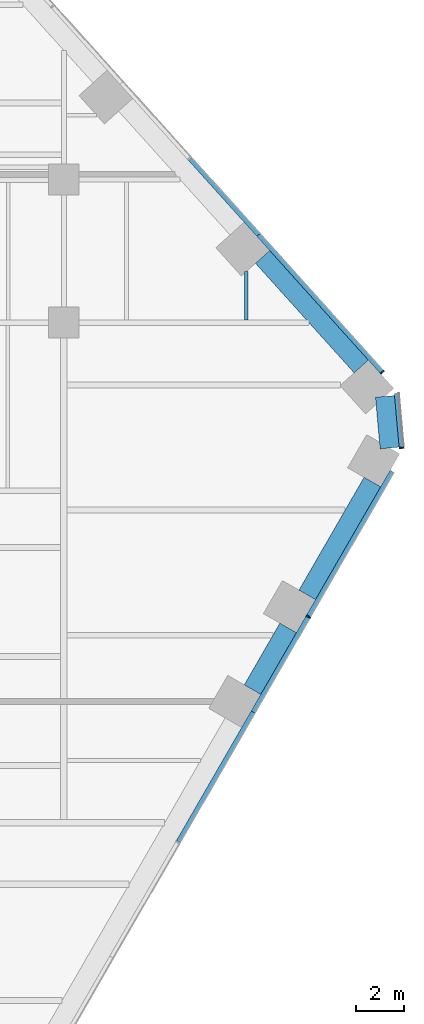
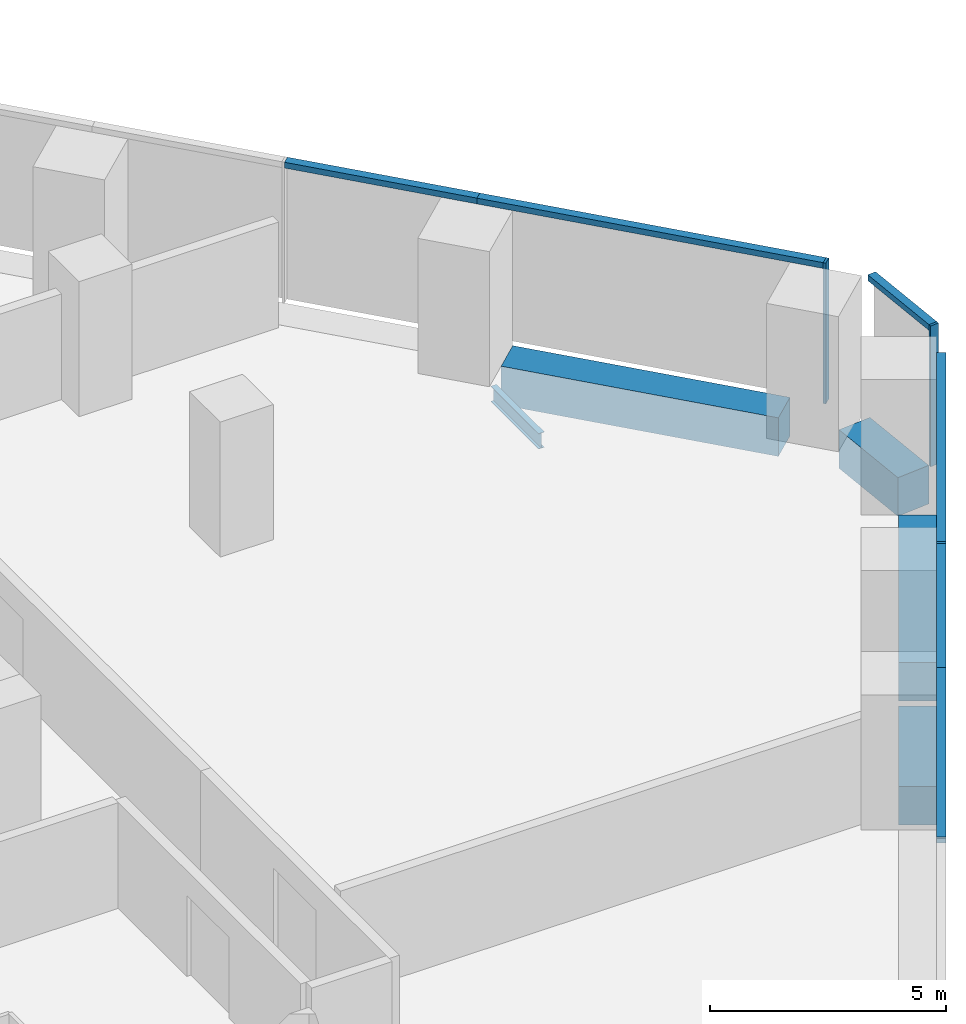
# One storey, part 11 of 19: 9 members, 5 beams, 3 elements without a shape of their own.
"""IFC4 building model written with IfcOpenShell, lengths in metres."""

from ifc_helpers import new_model, si_unit, direction, frame, origin, origin_2d, place, context, subcontext, project, spatial, rectangle, i_section, extrude, material, layer, layer_set, material_profile, profile_set, type_object, element, aggregate, save


model = new_model("IFC4")

# Units and contexts
model_context = context("Model", 3, precision=1e-05, world=origin(), true_north=direction((0.0, 1.0)))
body_context = subcontext(model_context, "Body", "Model", "MODEL_VIEW")
ifc_project = project(units=[si_unit("LENGTHUNIT", "METRE"), si_unit("AREAUNIT", "SQUARE_METRE"), si_unit("VOLUMEUNIT", "CUBIC_METRE"), si_unit("PLANEANGLEUNIT", "RADIAN"), si_unit("MASSUNIT", "GRAM", prefix="KILO")], contexts=[model_context])

# Site, building, storey
site_placement = place(None, origin())
site = spatial("IfcSite", under=ifc_project, at=site_placement, CompositionType="ELEMENT")
building_placement = place(site_placement, origin())
building = spatial("IfcBuilding", under=site, at=building_placement, Name="Isthmus Gate Tower", CompositionType="ELEMENT")
storey_placement = place(building_placement, frame((0.0, 0.0, 95.25)))
storey = spatial("IfcBuildingStorey", under=building, at=storey_placement, Name="L22", CompositionType="ELEMENT", Elevation=95.25)

# Curtain wall, member
ifc_material_1 = material(Name="Aluminium, pale champagne anodised", Category="aluminium")
ifc_layer = layer(ifc_material_1, 0.199951171875)
ifc_layer_set = layer_set([ifc_layer], Name="CW-1 UNITISED CURTAIN WALL 200 DEEP")
curtain_wall_type = type_object("IfcCurtainWallType", Name="CW-1 UNITISED CURTAIN WALL 200 DEEP", PredefinedType="NOTDEFINED", material=ifc_layer_set)
curtain_wall_1_placement = place(storey_placement, origin())
curtain_wall_1 = element("IfcCurtainWall", 1, at=curtain_wall_1_placement, inside=storey, type_object=curtain_wall_type, Name="CW-1 SE L22", PredefinedType="NOTDEFINED")
ifc_material_2 = material(Name="Aluminium, pale champagne anodised", Category="aluminium")
ifc_material_profile_1 = material_profile(ifc_material_2, rectangle(XDim=0.06005859375, YDim=0.199951171875, at=origin_2d()), Name="60x200")
ifc_profile_set_1 = profile_set([ifc_material_profile_1], Name="Aluminium, pale champagne anodised")
member_type_1 = type_object("IfcMemberType", Name="CW-1 MULLION 60 X 200", PredefinedType="MULLION", material=ifc_profile_set_1)
member_1_placement = place(storey_placement, frame((34.267822265625, -4.846435546875, 0.0), z_axis=(0.0, 0.0, 1.0), x_axis=(0.5, 0.866025403784, 0.0)))
member_1 = element("IfcMember", 2, at=member_1_placement, type_object=member_type_1, Name="CW-1 mullion", PredefinedType="MULLION", context=body_context, shape_type="SweptSolid", body=[
    extrude(rectangle(XDim=0.06005859375, YDim=0.199951171875, at=origin_2d()), origin(), (0.0, 0.0, 1.0), 3.64990234375),
])

curtain_wall_2_placement = place(storey_placement, origin())
curtain_wall_2 = element("IfcCurtainWall", 3, at=curtain_wall_2_placement, inside=storey, type_object=curtain_wall_type, Name="CW-1 SE-NE L22", PredefinedType="NOTDEFINED")
member_2_placement = place(storey_placement, frame((38.178955078125, 2.24169921875, 0.0), z_axis=(0.0, 0.0, 1.0), x_axis=(-0.089396669717, 0.995996102123, 0.0)))
member_2 = element("IfcMember", 4, at=member_2_placement, type_object=member_type_1, Name="CW-1 mullion", PredefinedType="MULLION", context=body_context, shape_type="SweptSolid", body=[
    extrude(rectangle(XDim=0.06005859375, YDim=0.199951171875, at=origin_2d()), origin(), (0.0, 0.0, 1.0), 3.64990234375),
])

curtain_wall_3_placement = place(storey_placement, origin())
curtain_wall_3 = element("IfcCurtainWall", 5, at=curtain_wall_3_placement, inside=storey, type_object=curtain_wall_type, Name="CW-1 NE L22", PredefinedType="NOTDEFINED")
member_3_placement = place(storey_placement, frame((37.37353515625, 5.419921875, 0.0), z_axis=(0.0, 0.0, 1.0), x_axis=(-0.669130606359, 0.743144825477, 0.0)))
member_3 = element("IfcMember", 6, at=member_3_placement, type_object=member_type_1, Name="CW-1 mullion", PredefinedType="MULLION", context=body_context, shape_type="SweptSolid", body=[
    extrude(rectangle(XDim=0.06005859375, YDim=0.199951171875, at=origin_2d()), origin(), (0.0, 0.0, 1.0), 3.64990234375),
])

# Member
ifc_material_3 = material(Name="Aluminium, pale champagne anodised", Category="aluminium")
ifc_material_profile_2 = material_profile(ifc_material_3, rectangle(XDim=0.199951171875, YDim=0.14990234375, at=origin_2d()), Name="200x150")
ifc_profile_set_2 = profile_set([ifc_material_profile_2], Name="Aluminium, pale champagne anodised")
member_type_2 = type_object("IfcMemberType", Name="CW-1 TRANSOM 200 X 150", PredefinedType="USERDEFINED", material=ifc_profile_set_2)
member_4_placement = place(storey_placement, frame((28.817138671875, -14.287353515625, 3.574951171875), z_axis=(0.499995104884, 0.866028229963, 0.0), x_axis=(-0.866028229963, 0.499995104884, 0.0)))
member_4 = element("IfcMember", 7, at=member_4_placement, type_object=member_type_2, Name="CW-1 transom", ObjectType="TRANSOM", PredefinedType="USERDEFINED", context=body_context, shape_type="SweptSolid", body=[
    extrude(rectangle(XDim=0.199951171875, YDim=0.14990234375, at=origin_2d()), origin(), (0.0, 0.0, 1.0), 6.2783203125),
])

member_5_placement = place(storey_placement, frame((31.956298828125, -8.85009765625, 3.574951171875), z_axis=(0.499992401796, 0.866029790565, 0.0), x_axis=(-0.866029790565, 0.499992401796, 0.0)))
member_5 = element("IfcMember", 8, at=member_5_placement, type_object=member_type_2, Name="CW-1 transom", ObjectType="TRANSOM", PredefinedType="USERDEFINED", context=body_context, shape_type="SweptSolid", body=[
    extrude(rectangle(XDim=0.199951171875, YDim=0.14990234375, at=origin_2d()), origin(), (0.0, 0.0, 1.0), 4.5927734375),
])

member_6_placement = place(storey_placement, frame((34.28271484375, -4.820556640625, 3.574951171875), z_axis=(0.500004847053, 0.866022605319, 0.0), x_axis=(-0.866022605319, 0.500004847053, 0.0)))
member_6 = element("IfcMember", 9, at=member_6_placement, type_object=member_type_2, Name="CW-1 transom", ObjectType="TRANSOM", PredefinedType="USERDEFINED", context=body_context, shape_type="SweptSolid", body=[
    extrude(rectangle(XDim=0.199951171875, YDim=0.14990234375, at=origin_2d()), origin(), (0.0, 0.0, 1.0), 7.009765625),
])

aggregate(curtain_wall_1, [member_4, member_5, member_1, member_6])

member_7_placement = place(storey_placement, frame((38.17626953125, 2.271728515625, 3.574951171875), z_axis=(-0.089395362867, 0.995996219419, 0.0), x_axis=(-0.995996219419, -0.089395362867, 0.0)))
member_7 = element("IfcMember", 10, at=member_7_placement, type_object=member_type_2, Name="CW-1 transom", ObjectType="TRANSOM", PredefinedType="USERDEFINED", context=body_context, shape_type="SweptSolid", body=[
    extrude(rectangle(XDim=0.199951171875, YDim=0.14990234375, at=origin_2d()), origin(), (0.0, 0.0, 1.0), 2.258544921875),
])

aggregate(curtain_wall_2, [member_2, member_7])

member_8_placement = place(storey_placement, frame((37.353515625, 5.4423828125, 3.574951171875), z_axis=(-0.669133991403, 0.743141777556, 0.0), x_axis=(-0.743141777556, -0.669133991403, 0.0)))
member_8 = element("IfcMember", 11, at=member_8_placement, type_object=member_type_2, Name="CW-1 transom", ObjectType="TRANSOM", PredefinedType="USERDEFINED", context=body_context, shape_type="SweptSolid", body=[
    extrude(rectangle(XDim=0.199951171875, YDim=0.14990234375, at=origin_2d()), origin(), (0.0, 0.0, 1.0), 7.729248046875),
])

member_9_placement = place(storey_placement, frame((32.181640625, 11.186279296875, 3.574951171875), z_axis=(-0.669131169216, 0.743144318678, 0.0), x_axis=(-0.743144318678, -0.669131169216, 0.0)))
member_9 = element("IfcMember", 12, at=member_9_placement, type_object=member_type_2, Name="CW-1 transom", ObjectType="TRANSOM", PredefinedType="USERDEFINED", context=body_context, shape_type="SweptSolid", body=[
    extrude(rectangle(XDim=0.199951171875, YDim=0.14990234375, at=origin_2d()), origin(), (0.0, 0.0, 1.0), 4.294677734375),
])

aggregate(curtain_wall_3, [member_3, member_8, member_9])

# Beams
ifc_material_4 = material(Name="Concrete f'c 70 MPa", Category="concrete")
ifc_material_profile_3 = material_profile(ifc_material_4, rectangle(XDim=0.800048828125, YDim=1.0, at=origin_2d()), Name="RC 800X1000")
ifc_profile_set_3 = profile_set([ifc_material_profile_3], Name="Concrete f'c 70 MPa")
beam_type_1 = type_object("IfcBeamType", Name="RC SPANDREL 800 X 1000", PredefinedType="SPANDREL", material=ifc_profile_set_3)
beam_1_placement = place(storey_placement, frame((32.34521484375, 10.25732421875, -0.5), z_axis=(0.669139054219, -0.743137218903, 0.0), x_axis=(0.743137218903, 0.669139054219, 0.0)))
element("IfcBeam", 13, at=beam_1_placement, inside=storey, type_object=beam_type_1, Name="str-spandrel-L22-04", PredefinedType="SPANDREL", context=body_context, shape_type="SweptSolid", body=[
    extrude(rectangle(XDim=0.800048828125, YDim=1.0, at=origin_2d()), origin(), (0.0, 0.0, 1.0), 6.189453125),
])
beam_2_placement = place(storey_placement, frame((37.483154296875, 4.40185546875, -0.5), z_axis=(0.089421511639, -0.995993872098, 0.0), x_axis=(0.995993872098, 0.089421511639, 0.0)))
element("IfcBeam", 14, at=beam_2_placement, inside=storey, type_object=beam_type_1, Name="str-spandrel-L22-05", PredefinedType="SPANDREL", context=body_context, shape_type="SweptSolid", body=[
    extrude(rectangle(XDim=0.800048828125, YDim=1.0, at=origin_2d()), origin(), (0.0, 0.0, 1.0), 2.17333984375),
])
beam_3_placement = place(storey_placement, frame((36.95458984375, 0.80712890625, -0.5), z_axis=(-0.500008371742, -0.866020570303, 0.0), x_axis=(0.866020570303, -0.500008371742, 0.0)))
element("IfcBeam", 15, at=beam_3_placement, inside=storey, type_object=beam_type_1, Name="str-spandrel-L22-06", PredefinedType="SPANDREL", context=body_context, shape_type="SweptSolid", body=[
    extrude(rectangle(XDim=0.800048828125, YDim=1.0, at=origin_2d()), origin(), (0.0, 0.0, 1.0), 5.4697265625),
])
beam_4_placement = place(storey_placement, frame((33.419677734375, -5.315185546875, -0.5), z_axis=(-0.499955472713, -0.866051110099, 0.0), x_axis=(0.866051110099, -0.499955472713, 0.0)))
element("IfcBeam", 16, at=beam_4_placement, inside=storey, type_object=beam_type_1, Name="str-spandrel-L22-07", PredefinedType="SPANDREL", context=body_context, shape_type="SweptSolid", body=[
    extrude(rectangle(XDim=0.800048828125, YDim=1.0, at=origin_2d()), origin(), (0.0, 0.0, 1.0), 2.992919921875),
])
ifc_material_5 = material(Name="Structural steel ASTM A992 Gr 50", Category="steel")
ifc_material_profile_4 = material_profile(ifc_material_5, i_section(OverallWidth=0.1396484375, OverallDepth=0.4033203125, WebThickness=0.00634765625, FlangeThickness=0.010986328125, at=origin_2d()), Name="W16X31")
ifc_profile_set_4 = profile_set([ifc_material_profile_4], Name="Structural steel ASTM A992 Gr 50")
beam_type_2 = type_object("IfcBeamType", Name="STEEL FLOOR BEAM W16X31", PredefinedType="JOIST", material=ifc_profile_set_4)
beam_5_placement = place(storey_placement, frame((31.666259765625, 7.6142578125, -0.3515625), z_axis=(0.0, 1.0, 0.0), x_axis=(-1.0, 0.0, 0.0)))
element("IfcBeam", 17, at=beam_5_placement, inside=storey, type_object=beam_type_2, Name="str-beam-L22-33-01", PredefinedType="JOIST", context=body_context, shape_type="SweptSolid", body=[
    extrude(i_section(OverallWidth=0.1396484375, OverallDepth=0.4033203125, WebThickness=0.00634765625, FlangeThickness=0.010986328125, at=origin_2d()), origin(), (0.0, 0.0, 1.0), 2.03173828125),
])

save(model, "model.ifc")
